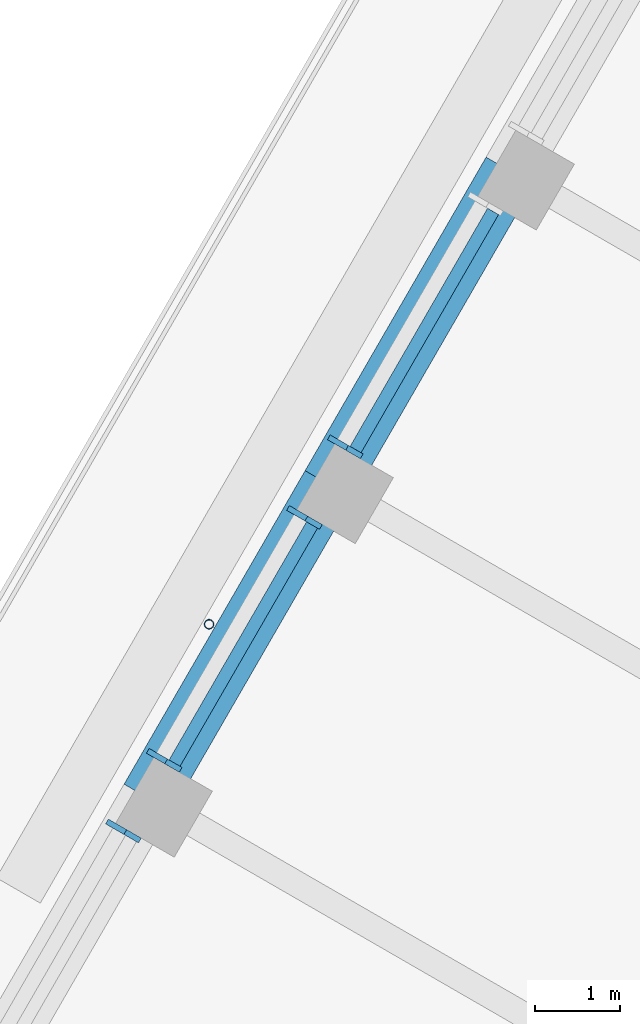
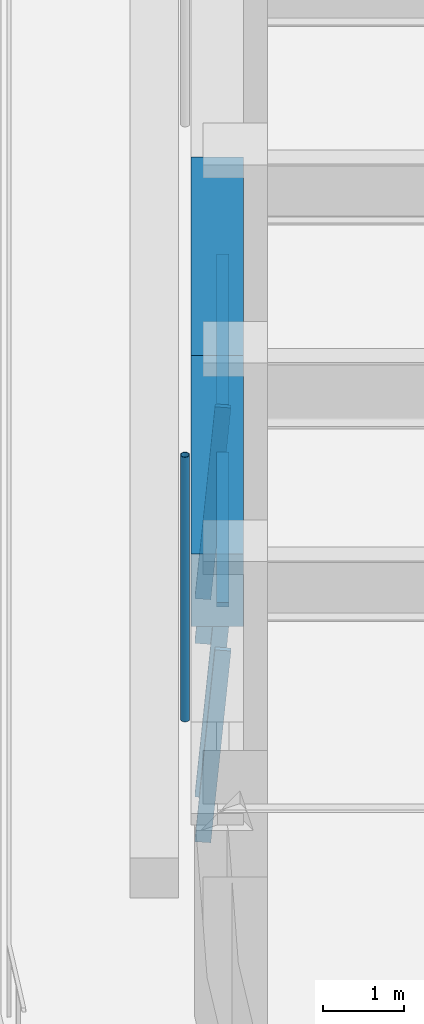
# One storey, part 6 of 19: 7 members, 2 beams, 3 elements without a shape of their own.
"""IFC4 building model written with IfcOpenShell, lengths in metres."""

from ifc_helpers import new_model, si_unit, direction, frame, origin, origin_2d, place, context, subcontext, project, spatial, rectangle, hollow_circle, extrude, material, material_profile, profile_set, type_object, element, aggregate, save


model = new_model("IFC4")

# Units and contexts
model_context = context("Model", 3, precision=1e-05, world=origin(), true_north=direction((0.0, 1.0)))
body_context = subcontext(model_context, "Body", "Model", "MODEL_VIEW")
ifc_project = project(units=[si_unit("LENGTHUNIT", "METRE"), si_unit("AREAUNIT", "SQUARE_METRE"), si_unit("VOLUMEUNIT", "CUBIC_METRE"), si_unit("PLANEANGLEUNIT", "RADIAN"), si_unit("MASSUNIT", "GRAM", prefix="KILO")], contexts=[model_context])

# Site, building, storey
site_placement = place(None, origin())
site = spatial("IfcSite", under=ifc_project, at=site_placement, CompositionType="ELEMENT")
building_placement = place(site_placement, origin())
building = spatial("IfcBuilding", under=site, at=building_placement, Name="Tarfa Lantern Tower", CompositionType="ELEMENT")
storey_placement = place(building_placement, frame((0.0, 0.0, 370.300048828125)))
storey = spatial("IfcBuildingStorey", under=building, at=storey_placement, Name="L84", CompositionType="ELEMENT", Elevation=370.300048828125)

# Curtain wall, member
ifc_material_1 = material(Name="Aluminium framed curtain wall", Category="aluminium")
curtain_wall_type = type_object("IfcCurtainWallType", Name="CW4 CANTED GLAZING EXECUTIVE ZONE 2900", PredefinedType="USERDEFINED", material=ifc_material_1)
curtain_wall_1_placement = place(storey_placement, origin())
curtain_wall_1 = element("IfcCurtainWall", 1, at=curtain_wall_1_placement, inside=storey, type_object=curtain_wall_type, Name="CW4 NW L84", ObjectType="CURTAIN WALL", PredefinedType="USERDEFINED")
ifc_material_2 = material(Name="Aluminium mullion", Category="aluminium")
ifc_material_profile_1 = material_profile(ifc_material_2, rectangle(XDim=0.06494140625, YDim=0.199951171875, at=origin_2d()), Name="AL MULLION 65x200")
ifc_profile_set_1 = profile_set([ifc_material_profile_1], Name="Aluminium mullion")
member_type_1 = type_object("IfcMemberType", Name="CWM1 MULLION 65x200", PredefinedType="MULLION", material=ifc_profile_set_1)
member_1_placement = place(storey_placement, frame((-24.979248046875, 10.034423828125, 0.0), z_axis=(0.074316405553, -0.042945823525, 0.996309554359), x_axis=(0.500342721131, 0.865827443207, 0.0)))
member_1 = element("IfcMember", 2, at=member_1_placement, type_object=member_type_1, Name="CW4 mullion 2", PredefinedType="MULLION", context=body_context, shape_type="SweptSolid", body=[
    extrude(rectangle(XDim=0.06494140625, YDim=0.199951171875, at=origin_2d()), origin(), (0.0, 0.0, 1.0), 2.91064453125),
])

# Curtain wall, members
curtain_wall_2_placement = place(storey_placement, origin())
curtain_wall_2 = element("IfcCurtainWall", 3, at=curtain_wall_2_placement, inside=storey, type_object=curtain_wall_type, Name="CW4 NW L84", ObjectType="CURTAIN WALL", PredefinedType="USERDEFINED")
member_2_placement = place(storey_placement, frame((-25.4619140625, 9.19873046875, 0.0), z_axis=(0.074399820079, -0.042945555672, 0.996303340364), x_axis=(0.499919672301, 0.866071776036, 0.0)))
member_2 = element("IfcMember", 4, at=member_2_placement, type_object=member_type_1, Name="CW4 mullion 1", PredefinedType="MULLION", context=body_context, shape_type="SweptSolid", body=[
    extrude(rectangle(XDim=0.06494140625, YDim=0.199951171875, at=origin_2d()), origin(), (0.0, 0.0, 1.0), 2.91064453125),
])
member_3_placement = place(storey_placement, frame((-27.120361328125, 6.326171875, 0.0), z_axis=(0.074399820079, -0.042945555672, 0.996303340364), x_axis=(0.499919672301, 0.866071776036, 0.0)))
member_3 = element("IfcMember", 5, at=member_3_placement, type_object=member_type_1, Name="CW4 mullion 2", PredefinedType="MULLION", context=body_context, shape_type="SweptSolid", body=[
    extrude(rectangle(XDim=0.06494140625, YDim=0.199951171875, at=origin_2d()), origin(), (0.0, 0.0, 1.0), 2.91064453125),
])

# Curtain wall, member
curtain_wall_3_placement = place(storey_placement, origin())
curtain_wall_3 = element("IfcCurtainWall", 6, at=curtain_wall_3_placement, inside=storey, type_object=curtain_wall_type, Name="CW4 NW L84", ObjectType="CURTAIN WALL", PredefinedType="USERDEFINED")
member_4_placement = place(storey_placement, frame((-27.602783203125, 5.490478515625, 0.0), z_axis=(0.074399820079, -0.042945555672, 0.996303340364), x_axis=(0.499919672301, 0.866071776036, 0.0)))
member_4 = element("IfcMember", 7, at=member_4_placement, type_object=member_type_1, Name="CW4 mullion 1", PredefinedType="MULLION", context=body_context, shape_type="SweptSolid", body=[
    extrude(rectangle(XDim=0.06494140625, YDim=0.199951171875, at=origin_2d()), origin(), (0.0, 0.0, 1.0), 2.91064453125),
])
aggregate(curtain_wall_3, [member_4])

# Member
ifc_material_3 = material(Name="Aluminium transom", Category="aluminium")
ifc_material_profile_2 = material_profile(ifc_material_3, rectangle(XDim=0.14990234375, YDim=0.06494140625, at=origin_2d()), Name="AL TRANSOM 150x65")
ifc_profile_set_2 = profile_set([ifc_material_profile_2], Name="Aluminium transom")
member_type_2 = type_object("IfcMemberType", Name="CWT1 TRANSOM 150x65", PredefinedType="USERDEFINED", material=ifc_profile_set_2)
member_5_placement = place(storey_placement, frame((-23.123046875, 12.75537109375, 2.867431640625), z_axis=(-0.499982393232, -0.866035568818, 0.0), x_axis=(0.866035568818, -0.499982393232, 0.0)))
member_5 = element("IfcMember", 8, at=member_5_placement, type_object=member_type_2, Name="CW4 transom 1.2", ObjectType="TRANSOM", PredefinedType="USERDEFINED", context=body_context, shape_type="SweptSolid", body=[
    extrude(rectangle(XDim=0.14990234375, YDim=0.06494140625, at=origin_2d()), origin(), (0.0, 0.0, 1.0), 3.251953125),
])

aggregate(curtain_wall_1, [member_1, member_5])

member_6_placement = place(storey_placement, frame((-25.263916015625, 9.047119140625, 2.867431640625), z_axis=(-0.499982393232, -0.866035568818, 0.0), x_axis=(0.866035568818, -0.499982393232, 0.0)))
member_6 = element("IfcMember", 9, at=member_6_placement, type_object=member_type_2, Name="CW4 transom 1.2", ObjectType="TRANSOM", PredefinedType="USERDEFINED", context=body_context, shape_type="SweptSolid", body=[
    extrude(rectangle(XDim=0.14990234375, YDim=0.06494140625, at=origin_2d()), origin(), (0.0, 0.0, 1.0), 3.251953125),
])

aggregate(curtain_wall_2, [member_2, member_3, member_6])

# Beams
ifc_material_4 = material(Name="Concrete C80/95", Category="concrete")
ifc_material_profile_3 = material_profile(ifc_material_4, rectangle(XDim=0.64990234375, YDim=1.10009765625, at=origin_2d()), Name="RC 650x1100")
ifc_profile_set_3 = profile_set([ifc_material_profile_3], Name="Concrete C80/95")
beam_type = type_object("IfcBeamType", Name="EB4 RC 650x1100", PredefinedType="SPANDREL", material=ifc_profile_set_3)
beam_1_placement = place(storey_placement, frame((-22.923583984375, 13.235107421875, 3.449951171875), z_axis=(-0.500002112793, -0.866024183959, 0.0), x_axis=(0.866024183959, -0.500002112793, 0.0)))
element("IfcBeam", 10, at=beam_1_placement, inside=storey, type_object=beam_type, Name="Edge beam NW3", PredefinedType="SPANDREL", context=body_context, shape_type="SweptSolid", body=[
    extrude(rectangle(XDim=0.64990234375, YDim=1.10009765625, at=origin_2d()), origin(), (0.0, 0.0, 1.0), 4.2822265625),
])
beam_2_placement = place(storey_placement, frame((-25.064697265625, 9.526611328125, 3.449951171875), z_axis=(-0.500026801138, -0.866009929587, 0.0), x_axis=(0.866009929587, -0.500026801138, 0.0)))
element("IfcBeam", 11, at=beam_2_placement, inside=storey, type_object=beam_type, Name="Edge beam NW4", PredefinedType="SPANDREL", context=body_context, shape_type="SweptSolid", body=[
    extrude(rectangle(XDim=0.64990234375, YDim=1.10009765625, at=origin_2d()), origin(), (0.0, 0.0, 1.0), 4.281982421875),
])

# Member
ifc_material_5 = material(Name="Steel S355", Category="steel")
ifc_material_profile_4 = material_profile(ifc_material_5, hollow_circle(Radius=0.05712890625, WallThickness=0.00634765625, at=origin_2d()), Name="CHS114.3x6.3")
ifc_profile_set_4 = profile_set([ifc_material_profile_4], Name="Steel S355")
member_type_3 = type_object("IfcMemberType", Name="TR1 GREEN WALL TRELLIS CHS114.3x6.3", PredefinedType="USERDEFINED", material=ifc_profile_set_4)
member_7_placement = place(storey_placement, frame((-26.481689453125, 7.87255859375, 0.0), z_axis=(0.0, 0.0, 1.0), x_axis=(1.0, 0.0, 0.0)))
element("IfcMember", 12, at=member_7_placement, inside=storey, type_object=member_type_3, Name="Trellis post NW 2", ObjectType="TRELLIS", PredefinedType="USERDEFINED", context=body_context, shape_type="SweptSolid", body=[
    extrude(hollow_circle(Radius=0.05712890625, WallThickness=0.00634765625, at=origin_2d()), origin(), (0.0, 0.0, 1.0), 4.0),
])

save(model, "model.ifc")
